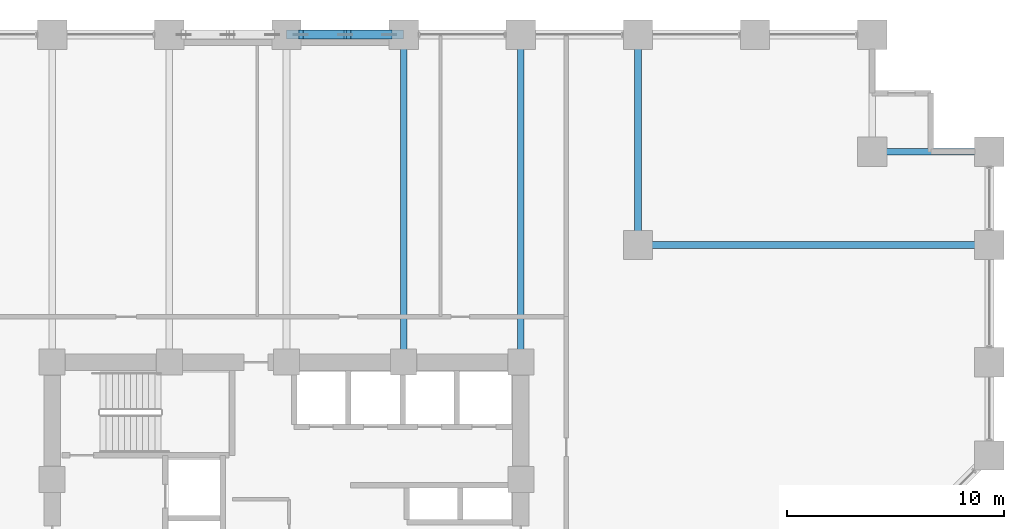
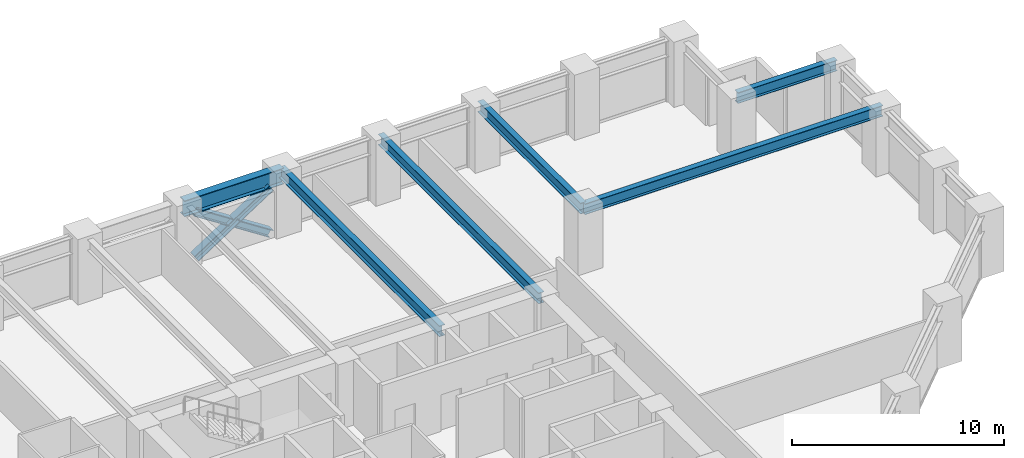
# One storey, part 14 of 25: 6 beams, 3 members.
"""IFC4 building model written with IfcOpenShell, lengths in metres."""

import ifcopenshell
import ifcopenshell.guid

model = None  # the IFC model being written
_history = None  # IfcOwnerHistory: only IFC2X3 demands one
_inside = {}  # id of a spatial element -> (the spatial element, [elements in it])
_under = {}  # id of a project, library or spatial element -> (it, [spatial elements below it])
_declared = {}  # id of a project -> (the project, [libraries it declares])
_typed = {}  # id of a type object -> (the type object, [elements of that type])
_made_of = {}  # id of a material, layer set ... -> (it, [elements and type objects made of it])


def new_model(schema):
    """Start an empty IFC model of exactly this schema.

    Asked for "IFC4X3", IfcOpenShell would pick the latest addendum, in which some entities
    have other attributes; the version numbers below select the first issue.
    IFC2X3 requires an IfcOwnerHistory on every rooted entity: one is made here for all.
    """
    global model, _history
    if schema == "IFC4X3":
        model = ifcopenshell.file(schema_version=(4, 3, 0, 0))
    else:
        model = ifcopenshell.file(schema=schema)
    _inside.clear()
    _under.clear()
    _declared.clear()
    _typed.clear()
    _made_of.clear()
    _history = None
    if model.schema == "IFC2X3":
        org = make("IfcOrganization", Name="unknown")
        user = make(
            "IfcPersonAndOrganization",
            ThePerson=make("IfcPerson", FamilyName="unknown"),
            TheOrganization=org,
        )
        app = make(
            "IfcApplication",
            ApplicationDeveloper=org,
            Version="unknown",
            ApplicationFullName="unknown",
            ApplicationIdentifier="unknown",
        )
        _history = make(
            "IfcOwnerHistory",
            OwningUser=user,
            OwningApplication=app,
            ChangeAction="ADDED",
            CreationDate=0,
        )
    return model


def make(cls, **values):
    """One entity of the class cls with the attributes given. An attribute that is None is left unset."""
    return model.create_entity(
        cls, **{name: value for name, value in values.items() if value is not None}
    )


def rooted(cls, **values):
    """An entity with a GlobalId (a new one), such as an element, a storey or a relation."""
    return make(cls, GlobalId=ifcopenshell.guid.new(), OwnerHistory=_history, **values)


def si_unit(unit_type, name, prefix=None):
    """IfcSIUnit, for example si_unit("LENGTHUNIT", "METRE", prefix="MILLI")."""
    return make("IfcSIUnit", UnitType=unit_type, Prefix=prefix, Name=name)


def assignment(units):
    """IfcUnitAssignment: the units of a project."""
    return None if units is None else make("IfcUnitAssignment", Units=units)


def point(xyz):
    """IfcCartesianPoint."""
    return None if xyz is None else make("IfcCartesianPoint", Coordinates=xyz)


def direction(xyz):
    """IfcDirection."""
    return None if xyz is None else make("IfcDirection", DirectionRatios=xyz)


def frame(location, z_axis=None, x_axis=None):
    """IfcAxis2Placement3D, a coordinate frame: its origin and axes. An axis left out is left unset."""
    return make(
        "IfcAxis2Placement3D",
        Location=point(location),
        Axis=direction(z_axis),
        RefDirection=direction(x_axis),
    )


def frame_2d(location, x_axis=None):
    """IfcAxis2Placement2D, a coordinate frame in the plane: its origin and x axis."""
    return make(
        "IfcAxis2Placement2D", Location=point(location), RefDirection=direction(x_axis)
    )


def origin():
    """The frame at (0, 0, 0) with its axes left unset."""
    return frame((0.0, 0.0, 0.0))


def origin_2d():
    """The frame at (0, 0) in the plane with its x axis left unset."""
    return frame_2d((0.0, 0.0))


def place(relative_to, where):
    """IfcLocalPlacement: puts the frame where relative to a parent placement (None: the world)."""
    return make(
        "IfcLocalPlacement", PlacementRelTo=relative_to, RelativePlacement=where
    )


def context(
    kind, dimensions, precision=None, world=None, true_north=None, identifier=None
):
    """IfcGeometricRepresentationContext, for example the 3D "Model" context."""
    return make(
        "IfcGeometricRepresentationContext",
        ContextIdentifier=identifier,
        ContextType=kind,
        CoordinateSpaceDimension=dimensions,
        Precision=precision,
        WorldCoordinateSystem=world,
        TrueNorth=true_north,
    )


def subcontext(parent, identifier, kind, view, scale=None):
    """IfcGeometricRepresentationSubContext, for example "Body" below "Model"."""
    return make(
        "IfcGeometricRepresentationSubContext",
        ContextIdentifier=identifier,
        ContextType=kind,
        ParentContext=parent,
        TargetScale=scale,
        TargetView=view,
    )


def project(units=None, contexts=None):
    """IfcProject with its units and contexts."""
    return rooted(
        "IfcProject",
        Name="project",
        RepresentationContexts=contexts,
        UnitsInContext=assignment(units),
    )


def spatial(cls, under=None, at=None, **own):
    """A site, building, storey or space (cls), placed at a placement, below another one or the project."""
    s = rooted(cls, ObjectPlacement=at, **own)
    if under is not None:
        _under.setdefault(under.id(), (under, []))[1].append(s)
    return s


def profile(cls, at=None, kind="AREA", **sizes):
    """A parametric profile (cls). Its sizes go by their IFC names, for example OverallWidth=200.0."""
    return make(cls, ProfileType=kind, Position=at, **sizes)


def i_section(**sizes):
    """IfcIShapeProfileDef."""
    return profile("IfcIShapeProfileDef", **sizes)


def extrude(swept, where, along, depth):
    """IfcExtrudedAreaSolid: the profile swept, set in the frame where, extruded along a direction by depth."""
    return make(
        "IfcExtrudedAreaSolid",
        SweptArea=swept,
        Position=where,
        ExtrudedDirection=direction(along),
        Depth=depth,
    )


def shape(context_of_items, identifier, shape_type, items):
    """IfcShapeRepresentation: the items that make up one representation, for example the "Body"."""
    return make(
        "IfcShapeRepresentation",
        ContextOfItems=context_of_items,
        RepresentationIdentifier=identifier,
        RepresentationType=shape_type,
        Items=items,
    )


def material(Name=None, Category=None):
    """IfcMaterial."""
    return make("IfcMaterial", Name=Name, Category=Category)


def material_profile(
    of_material, cross_section, Name=None, Category=None, Priority=None
):
    """IfcMaterialProfile: a cross section and its material."""
    return make(
        "IfcMaterialProfile",
        Name=Name,
        Material=of_material,
        Profile=cross_section,
        Priority=Priority,
        Category=Category,
    )


def profile_set(profiles, Name=None, composite=None):
    """IfcMaterialProfileSet."""
    return make(
        "IfcMaterialProfileSet",
        Name=Name,
        MaterialProfiles=profiles,
        CompositeProfile=composite,
    )


def made_of(thing, what):
    """Note that an element or type object is made of a material, layer set ...; save() writes the relation."""
    if what is not None:
        _made_of.setdefault(what.id(), (what, []))[1].append(thing)
    return thing


def type_object(cls, material=None, **own):
    """A type object (cls), such as IfcWallType, which elements share."""
    return made_of(rooted(cls, **own), material)


def element(
    cls,
    number,
    at=None,
    inside=None,
    cuts=None,
    type_object=None,
    material=None,
    context=None,
    identifier="Body",
    shape_type=None,
    held_by="IfcProductDefinitionShape",
    body=None,
    shapes=None,
    **own,
):
    """One element of the class cls, such as IfcWall. Its Tag is "e" and its number.

    at: its placement. inside: the storey or other place that contains it. cuts: it is an
    opening in that element (IfcRelVoidsElement). A single representation is given by context,
    identifier, shape_type and body (its items); several are given by shapes. held_by: the class
    of the entity that holds the representations. save() writes the other relations.
    """
    e = rooted(cls, Tag="e%d" % number, ObjectPlacement=at, **own)
    if body is not None:
        shapes = [shape(context, identifier, shape_type, body)]
    if shapes is not None:
        e.Representation = make(held_by, Representations=shapes)
    if inside is not None:
        _inside.setdefault(inside.id(), (inside, []))[1].append(e)
    if cuts is not None:
        rooted(
            "IfcRelVoidsElement", RelatingBuildingElement=cuts, RelatedOpeningElement=e
        )
    if type_object is not None:
        _typed.setdefault(type_object.id(), (type_object, []))[1].append(e)
    return made_of(e, material)


def aggregate(whole, parts):
    """IfcRelAggregates: a whole, such as a stair, and the parts it consists of."""
    return rooted("IfcRelAggregates", RelatingObject=whole, RelatedObjects=parts)


def save(model, path):
    """Write the relations noted so far, then the file.

    IfcRelAggregates (storeys below a building ...), IfcRelContainedInSpatialStructure (elements
    in a storey), IfcRelDefinesByType, IfcRelAssociatesMaterial and IfcRelDeclares: one each for
    every whole, place, type object, material and project.
    """
    for whole, parts in _under.values():
        aggregate(whole, parts)
    for where, things in _inside.values():
        rooted(
            "IfcRelContainedInSpatialStructure",
            RelatedElements=things,
            RelatingStructure=where,
        )
    for kind, things in _typed.values():
        rooted("IfcRelDefinesByType", RelatedObjects=things, RelatingType=kind)
    for what, things in _made_of.values():
        rooted("IfcRelAssociatesMaterial", RelatedObjects=things, RelatingMaterial=what)
    for by, libraries in _declared.values():
        rooted("IfcRelDeclares", RelatingContext=by, RelatedDefinitions=libraries)
    model.write(path)


model = new_model("IFC4")

# Units and contexts
model_context = context("Model", 3, precision=1e-05, world=origin(), true_north=direction((0.0, 1.0)))
body_context = subcontext(model_context, "Body", "Model", "MODEL_VIEW")
ifc_project = project(units=[si_unit("LENGTHUNIT", "METRE"), si_unit("AREAUNIT", "SQUARE_METRE"), si_unit("VOLUMEUNIT", "CUBIC_METRE"), si_unit("PLANEANGLEUNIT", "RADIAN"), si_unit("MASSUNIT", "GRAM", prefix="KILO")], contexts=[model_context])

# Site, building, storey
site_placement = place(None, origin())
site = spatial("IfcSite", under=ifc_project, at=site_placement, CompositionType="ELEMENT")
building_placement = place(site_placement, origin())
building = spatial("IfcBuilding", under=site, at=building_placement, Name="Surkhivell Harbour Commons", CompositionType="ELEMENT")
storey_placement = place(building_placement, frame((0.0, 0.0, 41.25)))
storey = spatial("IfcBuildingStorey", under=building, at=storey_placement, Name="L10", CompositionType="ELEMENT", Elevation=41.25)

# Beams
ifc_material_1 = material(Name="Steel S355", Category="steel")
ifc_material_profile_1 = material_profile(ifc_material_1, i_section(OverallWidth=0.306884765625, OverallDepth=0.6201171875, WebThickness=0.01416015625, FlangeThickness=0.023681640625, at=origin_2d()), Name="UB610x305x179")
ifc_profile_set_1 = profile_set([ifc_material_profile_1], Name="Steel S355")
beam_type_1 = type_object("IfcBeamType", Name="BM-GRD-610A", PredefinedType="BEAM", material=ifc_profile_set_1)
for number, where, z_axis, x_axis, name in (
    (1, (5.39990234375, 10.800048828125, 3.260009765625), (0.0, 1.0, 0.0), (-1.0, 0.0, 0.0), "L10 Floor Girder (5.4,10.8)"),
    (2, (10.800048828125, 10.800048828125, 3.260009765625), (0.0, 1.0, 0.0), (-1.0, 0.0, 0.0), "L10 Floor Girder (10.8,10.8)"),
):
    element("IfcBeam", number, at=place(storey_placement, frame(where, z_axis=z_axis, x_axis=x_axis)), inside=storey, type_object=beam_type_1, Name=name, PredefinedType="BEAM", context=body_context, shape_type="SweptSolid", body=[
        extrude(i_section(OverallWidth=0.306884765625, OverallDepth=0.6201171875, WebThickness=0.01416015625, FlangeThickness=0.023681640625, at=origin_2d()), origin(), (0.0, 0.0, 1.0), 15.099853515625),
    ])
beam_1_placement = place(storey_placement, frame((16.199951171875, 16.199951171875, 3.260009765625), z_axis=(0.0, 1.0, 0.0), x_axis=(-1.0, 0.0, 0.0)))
element("IfcBeam", 3, at=beam_1_placement, inside=storey, type_object=beam_type_1, Name="L10 Floor Girder (16.2,16.2)", PredefinedType="BEAM", context=body_context, shape_type="SweptSolid", body=[
    extrude(i_section(OverallWidth=0.306884765625, OverallDepth=0.6201171875, WebThickness=0.01416015625, FlangeThickness=0.023681640625, at=origin_2d()), origin(), (0.0, 0.0, 1.0), 9.699951171875),
])
beam_2_placement = place(storey_placement, frame((16.199951171875, 16.199951171875, 3.260009765625), z_axis=(1.0, 0.0, 0.0), x_axis=(0.0, 1.0, 0.0)))
element("IfcBeam", 4, at=beam_2_placement, inside=storey, type_object=beam_type_1, Name="L10 Floor Girder (16.2,16.2)", PredefinedType="BEAM", context=body_context, shape_type="SweptSolid", body=[
    extrude(i_section(OverallWidth=0.306884765625, OverallDepth=0.6201171875, WebThickness=0.01416015625, FlangeThickness=0.023681640625, at=origin_2d()), origin(), (0.0, 0.0, 1.0), 16.199951171875),
])
beam_3_placement = place(storey_placement, frame((27.0, 20.5, 3.260009765625), z_axis=(1.0, 0.0, 0.0), x_axis=(0.0, 1.0, 0.0)))
element("IfcBeam", 5, at=beam_3_placement, inside=storey, type_object=beam_type_1, Name="L10 Floor Girder (27.0,20.5)", PredefinedType="BEAM", context=body_context, shape_type="SweptSolid", body=[
    extrude(i_section(OverallWidth=0.306884765625, OverallDepth=0.6201171875, WebThickness=0.01416015625, FlangeThickness=0.023681640625, at=origin_2d()), origin(), (0.0, 0.0, 1.0), 5.39990234375),
])
ifc_material_2 = material(Name="Steel S460", Category="steel")
ifc_material_profile_2 = material_profile(ifc_material_2, i_section(OverallWidth=0.419921875, OverallDepth=0.9208984375, WebThickness=0.021484375, FlangeThickness=0.03662109375, at=origin_2d()), Name="UB914x419x388")
ifc_profile_set_2 = profile_set([ifc_material_profile_2], Name="Steel S460")
beam_type_2 = type_object("IfcBeamType", Name="BM-SPN-914A", PredefinedType="SPANDREL", material=ifc_profile_set_2)
beam_4_placement = place(storey_placement, frame((0.0, 25.89990234375, 3.109619140625), z_axis=(1.0, 0.0, 0.0), x_axis=(0.0, 1.0, 0.0)))
element("IfcBeam", 6, at=beam_4_placement, inside=storey, type_object=beam_type_2, Name="L10 Tube Spandrel (-0.0,25.9)", PredefinedType="SPANDREL", context=body_context, shape_type="SweptSolid", body=[
    extrude(i_section(OverallWidth=0.419921875, OverallDepth=0.9208984375, WebThickness=0.021484375, FlangeThickness=0.03662109375, at=origin_2d()), origin(), (0.0, 0.0, 1.0), 5.39990234375),
])

# Members
ifc_material_profile_3 = material_profile(ifc_material_2, i_section(OverallWidth=0.406005859375, OverallDepth=0.416015625, WebThickness=0.026611328125, FlangeThickness=0.0390625, at=origin_2d()), Name="HD400x382")
ifc_profile_set_3 = profile_set([ifc_material_profile_3], Name="Steel S460")
member_type = type_object("IfcMemberType", Name="MEM-BRC-HD382", PredefinedType="BRACE", material=ifc_profile_set_3)
member_1_placement = place(storey_placement, frame((0.659912109375, 25.89990234375, 0.008056640625), z_axis=(0.83910375559, 0.0, 0.543971403067), x_axis=(0.0, 1.0, 0.0)))
element("IfcMember", 7, at=member_1_placement, inside=storey, type_object=member_type, Name="L10 Perimeter Mega-Brace MB- 04", PredefinedType="BRACE", context=body_context, shape_type="SweptSolid", body=[
    extrude(i_section(OverallWidth=0.406005859375, OverallDepth=0.416015625, WebThickness=0.026611328125, FlangeThickness=0.0390625, at=origin_2d()), origin(), (0.0, 0.0, 1.0), 4.8623046875),
])
member_2_placement = place(storey_placement, frame((4.739990234375, 25.89990234375, 0.008056640625), z_axis=(-0.83908547242, 0.0, 0.543999604756), x_axis=(0.0, -1.0, 0.0)))
element("IfcMember", 8, at=member_2_placement, inside=storey, type_object=member_type, Name="L10 Perimeter Mega-Brace MB- 05", PredefinedType="BRACE", context=body_context, shape_type="SweptSolid", body=[
    extrude(i_section(OverallWidth=0.406005859375, OverallDepth=0.416015625, WebThickness=0.026611328125, FlangeThickness=0.0390625, at=origin_2d()), origin(), (0.0, 0.0, 1.0), 2.2314453125),
])
member_3_placement = place(storey_placement, frame((2.532470703125, 25.89990234375, 1.439208984375), z_axis=(-0.839117847051, 0.0, 0.54394966565), x_axis=(0.0, -1.0, 0.0)))
element("IfcMember", 9, at=member_3_placement, inside=storey, type_object=member_type, Name="L10 Perimeter Mega-Brace MB- 06", PredefinedType="BRACE", context=body_context, shape_type="SweptSolid", body=[
    extrude(i_section(OverallWidth=0.406005859375, OverallDepth=0.416015625, WebThickness=0.026611328125, FlangeThickness=0.0390625, at=origin_2d()), origin(), (0.0, 0.0, 1.0), 2.231689453125),
])

save(model, "model.ifc")
